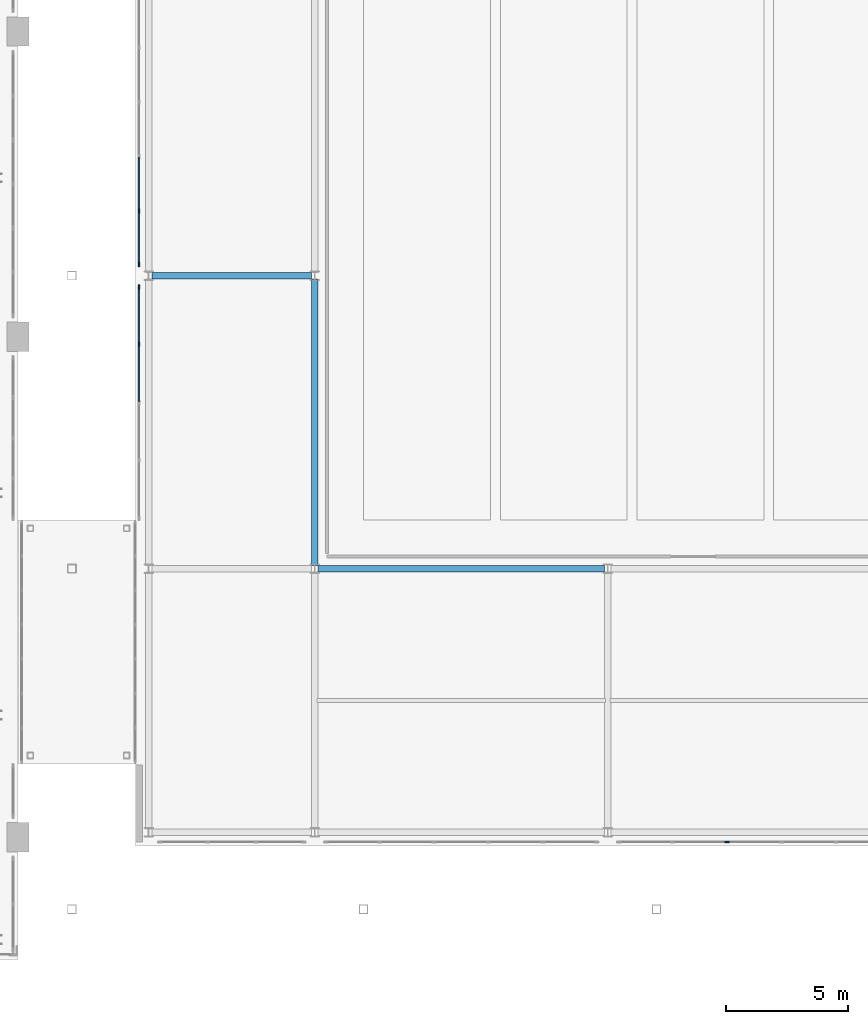
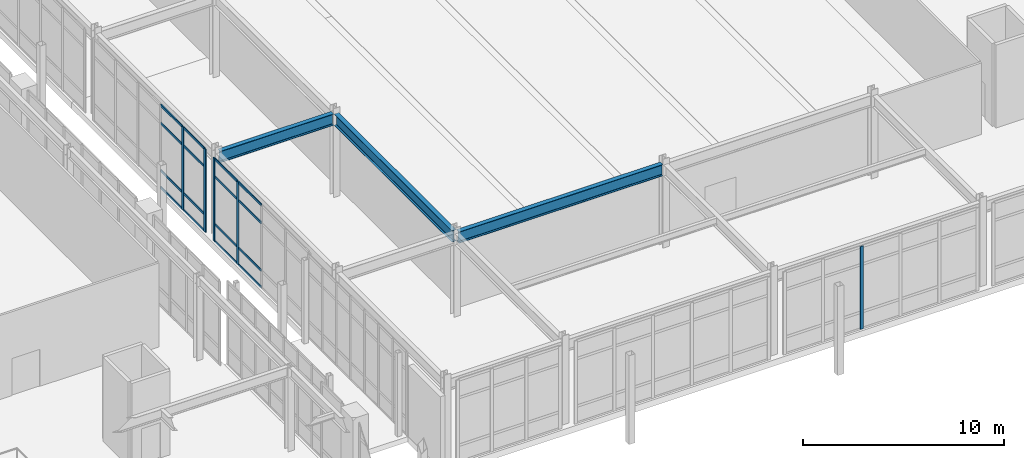
# One storey, part 65 of 159: 21 members, 3 beams, 3 elements without a shape of their own.
"""IFC4 building model written with IfcOpenShell, lengths in metres."""

from ifc_helpers import new_model, si_unit, derived_unit, direction, frame, origin, origin_2d, place, context, subcontext, project, spatial, rectangle, i_section, extrude, material, layer, layer_set, material_profile, profile_set, type_object, element, aggregate, save


model = new_model("IFC4")

# Units and contexts
model_context = context("Model", 3, precision=1e-05, world=origin(), true_north=direction((0.0, 1.0)))
body_context = subcontext(model_context, "Body", "Model", "MODEL_VIEW")
ifc_project = project(units=[si_unit("LENGTHUNIT", "METRE"), si_unit("AREAUNIT", "SQUARE_METRE"), si_unit("VOLUMEUNIT", "CUBIC_METRE"), si_unit("PLANEANGLEUNIT", "RADIAN"), si_unit("MASSUNIT", "GRAM", prefix="KILO"), derived_unit("THERMALTRANSMITTANCEUNIT", [(si_unit("MASSUNIT", "GRAM", prefix="KILO"), 1), (si_unit("TIMEUNIT", "SECOND"), -3), (si_unit("THERMODYNAMICTEMPERATUREUNIT", "KELVIN"), -1)])], contexts=[model_context])

# Site, building, storey
site_placement = place(None, origin())
site = spatial("IfcSite", under=ifc_project, at=site_placement, CompositionType="ELEMENT")
building_placement = place(site_placement, origin())
building = spatial("IfcBuilding", under=site, at=building_placement, Name="Valcora Ridge Arena", CompositionType="ELEMENT")
storey_placement = place(building_placement, frame((0.0, 0.0, 6.0)))
storey = spatial("IfcBuildingStorey", under=building, at=storey_placement, Name="L01", CompositionType="ELEMENT", Elevation=6.0)

# Beams
ifc_material_1 = material(Name="Steel ASTM A572 Grade 50", Category="steel")
ifc_material_profile_1 = material_profile(ifc_material_1, i_section(OverallWidth=0.256103515625, OverallDepth=0.693115234375, WebThickness=0.014404296875, FlangeThickness=0.023681640625, FilletRadius=0.02001953125, at=origin_2d()), Name="W27X114")
ifc_profile_set_1 = profile_set([ifc_material_profile_1], Name="Steel ASTM A572 Grade 50")
beam_type_1 = type_object("IfcBeamType", Name="TY-BEAM-G-W27X114-X", PredefinedType="BEAM", material=ifc_profile_set_1)
beam_1_placement = place(storey_placement, frame((144.139892578125, 16.0, 4.693603515625), z_axis=(1.0, 0.0, 0.0), x_axis=(0.0, 1.0, 0.0)))
element("IfcBeam", 1, at=beam_1_placement, inside=storey, type_object=beam_type_1, Name="G-W27X114-X BEM-G-W27X114-X-0025", PredefinedType="BEAM", context=body_context, shape_type="SweptSolid", body=[
    extrude(i_section(OverallWidth=0.256103515625, OverallDepth=0.693115234375, WebThickness=0.014404296875, FlangeThickness=0.023681640625, FilletRadius=0.02001953125, at=origin_2d()), origin(), (0.0, 0.0, 1.0), 11.72021484375),
])
beam_2_placement = place(storey_placement, frame((137.340087890625, 28.0, 4.693603515625), z_axis=(1.0, 0.0, 0.0), x_axis=(0.0, 1.0, 0.0)))
element("IfcBeam", 2, at=beam_2_placement, inside=storey, type_object=beam_type_1, Name="G-W27X114-X BEM-G-W27X114-X-0027", PredefinedType="BEAM", context=body_context, shape_type="SweptSolid", body=[
    extrude(i_section(OverallWidth=0.256103515625, OverallDepth=0.693115234375, WebThickness=0.014404296875, FlangeThickness=0.023681640625, FilletRadius=0.02001953125, at=origin_2d()), origin(), (0.0, 0.0, 1.0), 6.52001953125),
])
ifc_material_profile_2 = material_profile(ifc_material_1, i_section(OverallWidth=0.256103515625, OverallDepth=0.693115234375, WebThickness=0.014404296875, FlangeThickness=0.023681640625, FilletRadius=0.02001953125, at=origin_2d()), Name="W27X114")
ifc_profile_set_2 = profile_set([ifc_material_profile_2], Name="Steel ASTM A572 Grade 50")
beam_type_2 = type_object("IfcBeamType", Name="TY-BEAM-G-W27X114-Y", PredefinedType="BEAM", material=ifc_profile_set_2)
beam_3_placement = place(storey_placement, frame((144.0, 16.139892578125, 4.693603515625), z_axis=(0.0, 1.0, 0.0), x_axis=(-1.0, 0.0, 0.0)))
element("IfcBeam", 3, at=beam_3_placement, inside=storey, type_object=beam_type_2, Name="G-W27X114-Y BEM-G-W27X114-Y-0041", PredefinedType="BEAM", context=body_context, shape_type="SweptSolid", body=[
    extrude(i_section(OverallWidth=0.256103515625, OverallDepth=0.693115234375, WebThickness=0.014404296875, FlangeThickness=0.023681640625, FilletRadius=0.02001953125, at=origin_2d()), origin(), (0.0, 0.0, 1.0), 11.72021484375),
])

# Curtain wall, members
ifc_material_2 = material(Name="Anodised dark bronze architectural aluminium 6063-T6", Category="aluminium")
ifc_layer_1 = layer(ifc_material_2, 0.179931640625, Name="Anodised dark bronze architectural aluminium 6063-T6")
ifc_layer_set_1 = layer_set([ifc_layer_1], Name="Anodised dark bronze architectural aluminium 6063-T6")
curtain_wall_type_1 = type_object("IfcCurtainWallType", Name="TY-CURTAINWALL-CW-V2-GLAZ-095X50", PredefinedType="NOTDEFINED", material=ifc_layer_set_1)
curtain_wall_1_placement = place(storey_placement, origin())
curtain_wall_1 = element("IfcCurtainWall", 4, at=curtain_wall_1_placement, inside=storey, type_object=curtain_wall_type_1, Name="CW-V2-GLAZ-095X50 CW-0039", PredefinedType="NOTDEFINED")
ifc_material_profile_3 = material_profile(ifc_material_2, rectangle(XDim=0.06005859375, YDim=0.179931640625, at=origin_2d()), Name="ALU MULLION 60x180")
ifc_profile_set_3 = profile_set([ifc_material_profile_3], Name="Anodised dark bronze architectural aluminium 6063-T6")
member_type_1 = type_object("IfcMemberType", Name="TY-MEM-CWM-60x180", PredefinedType="MULLION", material=ifc_profile_set_3)
member_1_placement = place(storey_placement, frame((136.800048828125, 25.192626953125, 0.0), z_axis=(0.0, 0.0, 1.0), x_axis=(-1.0, 0.0, 0.0)))
member_1 = element("IfcMember", 5, at=member_1_placement, type_object=member_type_1, Name="CW-0039/CWM-60x180/M03", PredefinedType="MULLION", context=body_context, shape_type="SweptSolid", body=[
    extrude(rectangle(XDim=0.06005859375, YDim=0.179931640625, at=origin_2d()), origin(), (0.0, 0.0, 1.0), 5.0400390625),
])
member_2_placement = place(storey_placement, frame((136.800048828125, 27.54345703125, 0.0), z_axis=(0.0, 0.0, 1.0), x_axis=(-1.0, 0.0, 0.0)))
member_2 = element("IfcMember", 6, at=member_2_placement, type_object=member_type_1, Name="CW-0039/CWM-60x180/M04", PredefinedType="MULLION", context=body_context, shape_type="SweptSolid", body=[
    extrude(rectangle(XDim=0.06005859375, YDim=0.179931640625, at=origin_2d()), origin(), (0.0, 0.0, 1.0), 5.0400390625),
])

ifc_layer_2 = layer(ifc_material_2, 0.179931640625, Name="Anodised dark bronze architectural aluminium 6063-T6")
ifc_layer_set_2 = layer_set([ifc_layer_2], Name="Anodised dark bronze architectural aluminium 6063-T6")
curtain_wall_type_2 = type_object("IfcCurtainWallType", Name="TY-CURTAINWALL-CW-V2-GLAZ-111X50", PredefinedType="NOTDEFINED", material=ifc_layer_set_2)
curtain_wall_2_placement = place(storey_placement, origin())
curtain_wall_2 = element("IfcCurtainWall", 7, at=curtain_wall_2_placement, inside=storey, type_object=curtain_wall_type_2, Name="CW-V2-GLAZ-111X50 CW-0040", PredefinedType="NOTDEFINED")
member_3_placement = place(storey_placement, frame((136.800048828125, 28.45654296875, 0.0), z_axis=(0.0, 0.0, 1.0), x_axis=(-1.0, 0.0, 0.0)))
member_3 = element("IfcMember", 8, at=member_3_placement, type_object=member_type_1, Name="CW-0040/CWM-60x180/M00", PredefinedType="MULLION", context=body_context, shape_type="SweptSolid", body=[
    extrude(rectangle(XDim=0.06005859375, YDim=0.179931640625, at=origin_2d()), origin(), (0.0, 0.0, 1.0), 5.0400390625),
])
member_4_placement = place(storey_placement, frame((136.800048828125, 30.656005859375, 0.0), z_axis=(0.0, 0.0, 1.0), x_axis=(-1.0, 0.0, 0.0)))
member_4 = element("IfcMember", 9, at=member_4_placement, type_object=member_type_1, Name="CW-0040/CWM-60x180/M01", PredefinedType="MULLION", context=body_context, shape_type="SweptSolid", body=[
    extrude(rectangle(XDim=0.06005859375, YDim=0.179931640625, at=origin_2d()), origin(), (0.0, 0.0, 1.0), 5.0400390625),
])

# Curtain wall, member
curtain_wall_3_placement = place(storey_placement, origin())
curtain_wall_3 = element("IfcCurtainWall", 10, at=curtain_wall_3_placement, inside=storey, type_object=curtain_wall_type_2, Name="CW-V2-GLAZ-111X50 CW-0046", PredefinedType="NOTDEFINED")
member_5_placement = place(storey_placement, frame((160.885498046875, 4.800048828125, 0.0), z_axis=(0.0, 0.0, 1.0), x_axis=(0.0, 1.0, 0.0)))
member_5 = element("IfcMember", 11, at=member_5_placement, type_object=member_type_1, Name="CW-0046/CWM-60x180/M02", PredefinedType="MULLION", context=body_context, shape_type="SweptSolid", body=[
    extrude(rectangle(XDim=0.06005859375, YDim=0.179931640625, at=origin_2d()), origin(), (0.0, 0.0, 1.0), 5.0400390625),
])
aggregate(curtain_wall_3, [member_5])

# Member
ifc_material_profile_4 = material_profile(ifc_material_2, rectangle(XDim=0.050048828125, YDim=0.14990234375, at=origin_2d()), Name="ALU TRANSOM 50x150")
ifc_profile_set_4 = profile_set([ifc_material_profile_4], Name="Anodised dark bronze architectural aluminium 6063-T6")
member_type_2 = type_object("IfcMemberType", Name="TY-MEM-CWT-50x150", PredefinedType="USERDEFINED", material=ifc_profile_set_4)
member_6_placement = place(storey_placement, frame((136.800048828125, 22.842041015625, 0.02490234375), z_axis=(0.0, 1.0, 0.0), x_axis=(-1.0, 0.0, 0.0)))
member_6 = element("IfcMember", 12, at=member_6_placement, type_object=member_type_2, Name="CW-0039/CWT-50x150/T02-00", ObjectType="TRANSOM", PredefinedType="USERDEFINED", context=body_context, shape_type="SweptSolid", body=[
    extrude(rectangle(XDim=0.050048828125, YDim=0.14990234375, at=origin_2d()), origin(), (0.0, 0.0, 1.0), 2.321044921875),
])

member_7_placement = place(storey_placement, frame((136.800048828125, 22.842041015625, 1.050048828125), z_axis=(0.0, 1.0, 0.0), x_axis=(-1.0, 0.0, 0.0)))
member_7 = element("IfcMember", 13, at=member_7_placement, type_object=member_type_2, Name="CW-0039/CWT-50x150/T02-01", ObjectType="TRANSOM", PredefinedType="USERDEFINED", context=body_context, shape_type="SweptSolid", body=[
    extrude(rectangle(XDim=0.050048828125, YDim=0.14990234375, at=origin_2d()), origin(), (0.0, 0.0, 1.0), 2.321044921875),
])

member_8_placement = place(storey_placement, frame((136.800048828125, 22.842041015625, 3.93994140625), z_axis=(0.0, 1.0, 0.0), x_axis=(-1.0, 0.0, 0.0)))
member_8 = element("IfcMember", 14, at=member_8_placement, type_object=member_type_2, Name="CW-0039/CWT-50x150/T02-02", ObjectType="TRANSOM", PredefinedType="USERDEFINED", context=body_context, shape_type="SweptSolid", body=[
    extrude(rectangle(XDim=0.050048828125, YDim=0.14990234375, at=origin_2d()), origin(), (0.0, 0.0, 1.0), 2.321044921875),
])

member_9_placement = place(storey_placement, frame((136.800048828125, 22.842041015625, 5.014892578125), z_axis=(0.0, 1.0, 0.0), x_axis=(-1.0, 0.0, 0.0)))
member_9 = element("IfcMember", 15, at=member_9_placement, type_object=member_type_2, Name="CW-0039/CWT-50x150/T02-03", ObjectType="TRANSOM", PredefinedType="USERDEFINED", context=body_context, shape_type="SweptSolid", body=[
    extrude(rectangle(XDim=0.050048828125, YDim=0.14990234375, at=origin_2d()), origin(), (0.0, 0.0, 1.0), 2.321044921875),
])

member_10_placement = place(storey_placement, frame((136.800048828125, 25.222900390625, 0.02490234375), z_axis=(0.0, 1.0, 0.0), x_axis=(-1.0, 0.0, 0.0)))
member_10 = element("IfcMember", 16, at=member_10_placement, type_object=member_type_2, Name="CW-0039/CWT-50x150/T03-00", ObjectType="TRANSOM", PredefinedType="USERDEFINED", context=body_context, shape_type="SweptSolid", body=[
    extrude(rectangle(XDim=0.050048828125, YDim=0.14990234375, at=origin_2d()), origin(), (0.0, 0.0, 1.0), 2.291015625),
])

member_11_placement = place(storey_placement, frame((136.800048828125, 25.222900390625, 1.050048828125), z_axis=(0.0, 1.0, 0.0), x_axis=(-1.0, 0.0, 0.0)))
member_11 = element("IfcMember", 17, at=member_11_placement, type_object=member_type_2, Name="CW-0039/CWT-50x150/T03-01", ObjectType="TRANSOM", PredefinedType="USERDEFINED", context=body_context, shape_type="SweptSolid", body=[
    extrude(rectangle(XDim=0.050048828125, YDim=0.14990234375, at=origin_2d()), origin(), (0.0, 0.0, 1.0), 2.291015625),
])

member_12_placement = place(storey_placement, frame((136.800048828125, 25.222900390625, 3.93994140625), z_axis=(0.0, 1.0, 0.0), x_axis=(-1.0, 0.0, 0.0)))
member_12 = element("IfcMember", 18, at=member_12_placement, type_object=member_type_2, Name="CW-0039/CWT-50x150/T03-02", ObjectType="TRANSOM", PredefinedType="USERDEFINED", context=body_context, shape_type="SweptSolid", body=[
    extrude(rectangle(XDim=0.050048828125, YDim=0.14990234375, at=origin_2d()), origin(), (0.0, 0.0, 1.0), 2.291015625),
])

member_13_placement = place(storey_placement, frame((136.800048828125, 25.222900390625, 5.014892578125), z_axis=(0.0, 1.0, 0.0), x_axis=(-1.0, 0.0, 0.0)))
member_13 = element("IfcMember", 19, at=member_13_placement, type_object=member_type_2, Name="CW-0039/CWT-50x150/T03-03", ObjectType="TRANSOM", PredefinedType="USERDEFINED", context=body_context, shape_type="SweptSolid", body=[
    extrude(rectangle(XDim=0.050048828125, YDim=0.14990234375, at=origin_2d()), origin(), (0.0, 0.0, 1.0), 2.291015625),
])

aggregate(curtain_wall_1, [member_1, member_2, member_6, member_7, member_8, member_9, member_10, member_11, member_12, member_13])

member_14_placement = place(storey_placement, frame((136.800048828125, 28.486572265625, 0.02490234375), z_axis=(0.0, 1.0, 0.0), x_axis=(-1.0, 0.0, 0.0)))
member_14 = element("IfcMember", 20, at=member_14_placement, type_object=member_type_2, Name="CW-0040/CWT-50x150/T00-00", ObjectType="TRANSOM", PredefinedType="USERDEFINED", context=body_context, shape_type="SweptSolid", body=[
    extrude(rectangle(XDim=0.050048828125, YDim=0.14990234375, at=origin_2d()), origin(), (0.0, 0.0, 1.0), 2.138916015625),
])

member_15_placement = place(storey_placement, frame((136.800048828125, 28.486572265625, 1.050048828125), z_axis=(0.0, 1.0, 0.0), x_axis=(-1.0, 0.0, 0.0)))
member_15 = element("IfcMember", 21, at=member_15_placement, type_object=member_type_2, Name="CW-0040/CWT-50x150/T00-01", ObjectType="TRANSOM", PredefinedType="USERDEFINED", context=body_context, shape_type="SweptSolid", body=[
    extrude(rectangle(XDim=0.050048828125, YDim=0.14990234375, at=origin_2d()), origin(), (0.0, 0.0, 1.0), 2.138916015625),
])

member_16_placement = place(storey_placement, frame((136.800048828125, 28.486572265625, 3.93994140625), z_axis=(0.0, 1.0, 0.0), x_axis=(-1.0, 0.0, 0.0)))
member_16 = element("IfcMember", 22, at=member_16_placement, type_object=member_type_2, Name="CW-0040/CWT-50x150/T00-02", ObjectType="TRANSOM", PredefinedType="USERDEFINED", context=body_context, shape_type="SweptSolid", body=[
    extrude(rectangle(XDim=0.050048828125, YDim=0.14990234375, at=origin_2d()), origin(), (0.0, 0.0, 1.0), 2.138916015625),
])

member_17_placement = place(storey_placement, frame((136.800048828125, 28.486572265625, 5.014892578125), z_axis=(0.0, 1.0, 0.0), x_axis=(-1.0, 0.0, 0.0)))
member_17 = element("IfcMember", 23, at=member_17_placement, type_object=member_type_2, Name="CW-0040/CWT-50x150/T00-03", ObjectType="TRANSOM", PredefinedType="USERDEFINED", context=body_context, shape_type="SweptSolid", body=[
    extrude(rectangle(XDim=0.050048828125, YDim=0.14990234375, at=origin_2d()), origin(), (0.0, 0.0, 1.0), 2.138916015625),
])

member_18_placement = place(storey_placement, frame((136.800048828125, 30.685546875, 0.02490234375), z_axis=(0.0, 1.0, 0.0), x_axis=(-1.0, 0.0, 0.0)))
member_18 = element("IfcMember", 24, at=member_18_placement, type_object=member_type_2, Name="CW-0040/CWT-50x150/T01-00", ObjectType="TRANSOM", PredefinedType="USERDEFINED", context=body_context, shape_type="SweptSolid", body=[
    extrude(rectangle(XDim=0.050048828125, YDim=0.14990234375, at=origin_2d()), origin(), (0.0, 0.0, 1.0), 2.169921875),
])

member_19_placement = place(storey_placement, frame((136.800048828125, 30.685546875, 1.050048828125), z_axis=(0.0, 1.0, 0.0), x_axis=(-1.0, 0.0, 0.0)))
member_19 = element("IfcMember", 25, at=member_19_placement, type_object=member_type_2, Name="CW-0040/CWT-50x150/T01-01", ObjectType="TRANSOM", PredefinedType="USERDEFINED", context=body_context, shape_type="SweptSolid", body=[
    extrude(rectangle(XDim=0.050048828125, YDim=0.14990234375, at=origin_2d()), origin(), (0.0, 0.0, 1.0), 2.169921875),
])

member_20_placement = place(storey_placement, frame((136.800048828125, 30.685546875, 3.93994140625), z_axis=(0.0, 1.0, 0.0), x_axis=(-1.0, 0.0, 0.0)))
member_20 = element("IfcMember", 26, at=member_20_placement, type_object=member_type_2, Name="CW-0040/CWT-50x150/T01-02", ObjectType="TRANSOM", PredefinedType="USERDEFINED", context=body_context, shape_type="SweptSolid", body=[
    extrude(rectangle(XDim=0.050048828125, YDim=0.14990234375, at=origin_2d()), origin(), (0.0, 0.0, 1.0), 2.169921875),
])

member_21_placement = place(storey_placement, frame((136.800048828125, 30.685546875, 5.014892578125), z_axis=(0.0, 1.0, 0.0), x_axis=(-1.0, 0.0, 0.0)))
member_21 = element("IfcMember", 27, at=member_21_placement, type_object=member_type_2, Name="CW-0040/CWT-50x150/T01-03", ObjectType="TRANSOM", PredefinedType="USERDEFINED", context=body_context, shape_type="SweptSolid", body=[
    extrude(rectangle(XDim=0.050048828125, YDim=0.14990234375, at=origin_2d()), origin(), (0.0, 0.0, 1.0), 2.169921875),
])

aggregate(curtain_wall_2, [member_3, member_4, member_14, member_15, member_16, member_17, member_18, member_19, member_20, member_21])

save(model, "model.ifc")
